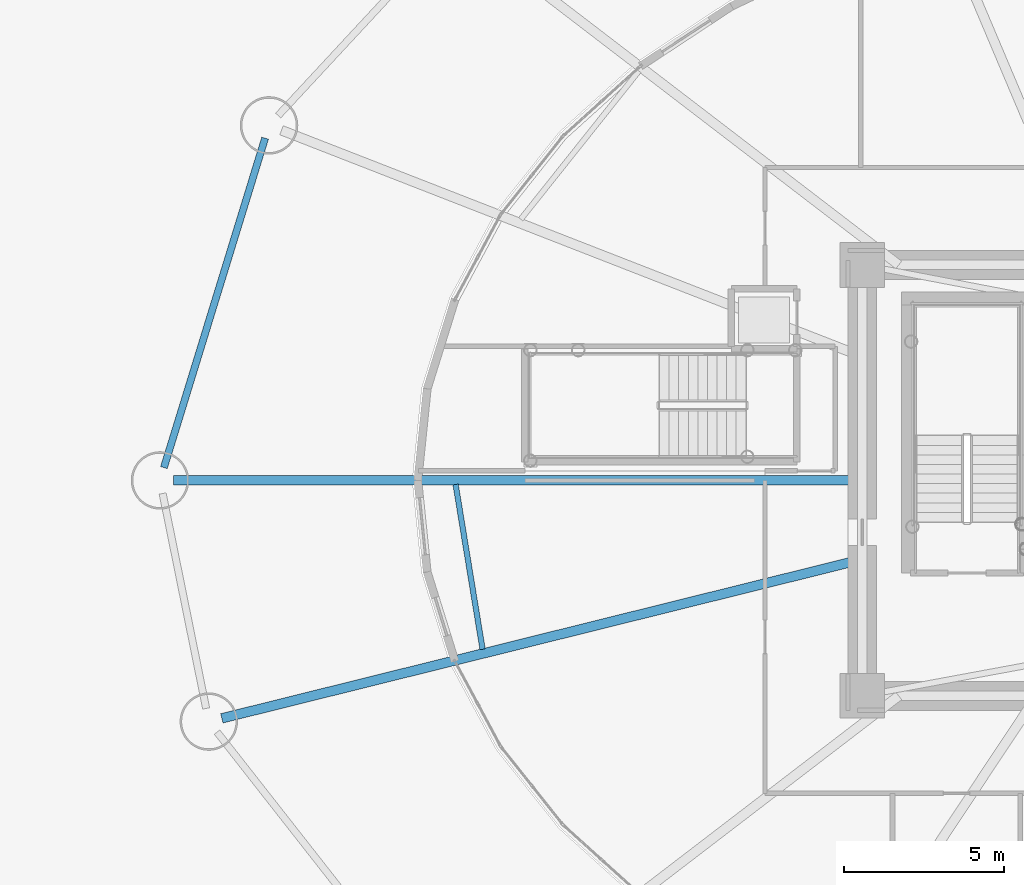
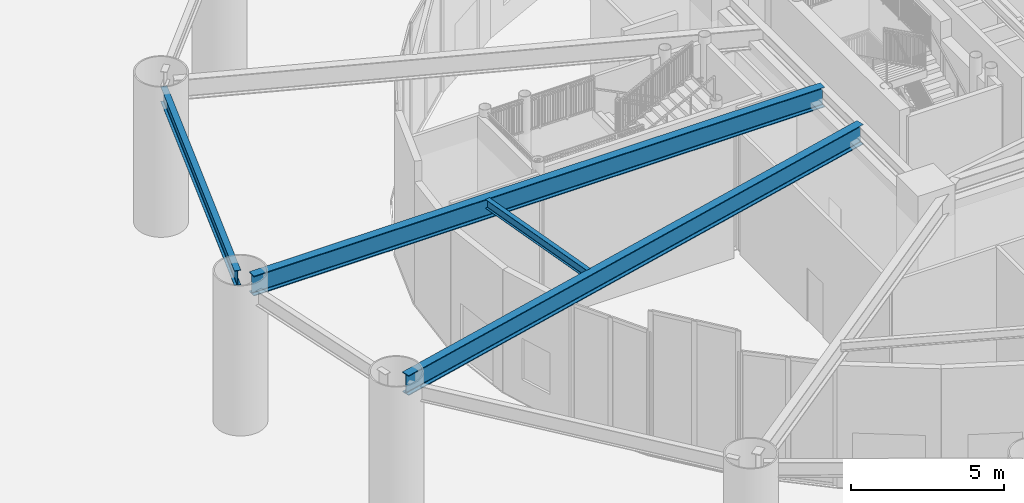
# One storey, part 9 of 46: 4 beams.
"""IFC4 building model written with IfcOpenShell, lengths in metres."""

from ifc_helpers import new_model, si_unit, direction, frame, origin, origin_2d, place, context, subcontext, project, spatial, i_section, extrude, material, material_profile, profile_set, type_object, element, save


model = new_model("IFC4")

# Units and contexts
model_context = context("Model", 3, precision=1e-05, world=origin(), true_north=direction((0.0, 1.0)))
body_context = subcontext(model_context, "Body", "Model", "MODEL_VIEW")
ifc_project = project(units=[si_unit("LENGTHUNIT", "METRE"), si_unit("AREAUNIT", "SQUARE_METRE"), si_unit("VOLUMEUNIT", "CUBIC_METRE"), si_unit("PLANEANGLEUNIT", "RADIAN"), si_unit("MASSUNIT", "GRAM", prefix="KILO")], contexts=[model_context])

# Site, building, storey
site_placement = place(None, origin())
site = spatial("IfcSite", under=ifc_project, at=site_placement, CompositionType="ELEMENT")
building_placement = place(site_placement, origin())
building = spatial("IfcBuilding", under=site, at=building_placement, Name="Linh Dai School and Residence Tower", CompositionType="ELEMENT")
storey_placement = place(building_placement, origin())
storey = spatial("IfcBuildingStorey", under=building, at=storey_placement, Name="L00", CompositionType="ELEMENT", Elevation=0.0)

# Beams
ifc_material = material(Name="Structural Steel S355JR", Category="steel")
ifc_material_profile_1 = material_profile(ifc_material, i_section(OverallWidth=0.219970703125, OverallDepth=0.60009765625, WebThickness=0.011962890625, FlangeThickness=0.01904296875, FilletRadius=0.02392578125, at=origin_2d()), Name="IPE 600")
ifc_profile_set_1 = profile_set([ifc_material_profile_1], Name="Structural Steel S355JR")
beam_type_1 = type_object("IfcBeamType", Name="BM-RB60", PredefinedType="BEAM", material=ifc_profile_set_1)
beam_1_placement = place(storey_placement, frame((7.343017578125, 37.720458984375, 5.39990234375), z_axis=(-0.293626522026, -0.955920219246, 0.0), x_axis=(0.955920219246, -0.293626522026, 0.0)))
element("IfcBeam", 1, at=beam_1_placement, inside=storey, type_object=beam_type_1, Name="L00 Perimeter Elliptical Ring Beam 08", PredefinedType="BEAM", context=body_context, shape_type="SweptSolid", body=[
    extrude(i_section(OverallWidth=0.219970703125, OverallDepth=0.60009765625, WebThickness=0.011962890625, FlangeThickness=0.01904296875, FilletRadius=0.02392578125, at=origin_2d()), origin(), (0.0, 0.0, 1.0), 10.794921875),
])
ifc_material_profile_2 = material_profile(ifc_material, i_section(OverallWidth=0.300048828125, OverallDepth=0.800048828125, WebThickness=0.017578125, FlangeThickness=0.032958984375, FilletRadius=0.030029296875, at=origin_2d()), Name="HEB 800")
ifc_profile_set_2 = profile_set([ifc_material_profile_2], Name="Structural Steel S355JR")
beam_type_2 = type_object("IfcBeamType", Name="BM-RG8", PredefinedType="BEAM", material=ifc_profile_set_2)
beam_2_placement = place(storey_placement, frame((26.050048828125, 27.0, 5.300048828125), z_axis=(-1.0, 0.0, 0.0), x_axis=(0.0, -1.0, 0.0)))
element("IfcBeam", 2, at=beam_2_placement, inside=storey, type_object=beam_type_2, Name="L00 Primary Radial Floor Girder 09", PredefinedType="BEAM", context=body_context, shape_type="SweptSolid", body=[
    extrude(i_section(OverallWidth=0.300048828125, OverallDepth=0.800048828125, WebThickness=0.017578125, FlangeThickness=0.032958984375, FilletRadius=0.030029296875, at=origin_2d()), origin(), (0.0, 0.0, 1.0), 21.580078125),
])
beam_3_placement = place(storey_placement, frame((26.050048828125, 24.52880859375, 5.300048828125), z_axis=(-0.970515097282, -0.241040340913, 0.0), x_axis=(0.241040340913, -0.970515097282, 0.0)))
element("IfcBeam", 3, at=beam_3_placement, inside=storey, type_object=beam_type_2, Name="L00 Primary Radial Floor Girder 10", PredefinedType="BEAM", context=body_context, shape_type="SweptSolid", body=[
    extrude(i_section(OverallWidth=0.300048828125, OverallDepth=0.800048828125, WebThickness=0.017578125, FlangeThickness=0.032958984375, FilletRadius=0.030029296875, at=origin_2d()), origin(), (0.0, 0.0, 1.0), 20.672607421875),
])
ifc_material_profile_3 = material_profile(ifc_material, i_section(OverallWidth=0.169921875, OverallDepth=0.360107421875, WebThickness=0.008056640625, FlangeThickness=0.0126953125, FilletRadius=0.01806640625, at=origin_2d()), Name="IPE 360")
ifc_profile_set_3 = profile_set([ifc_material_profile_3], Name="Structural Steel S355JR")
beam_type_3 = type_object("IfcBeamType", Name="BM-SB36", PredefinedType="BEAM", material=ifc_profile_set_3)
beam_4_placement = place(storey_placement, frame((13.31103515625, 26.871826171875, 5.52001953125), z_axis=(0.161492699369, -0.986873906865, 0.0), x_axis=(0.986873906865, 0.161492699369, 0.0)))
element("IfcBeam", 4, at=beam_4_placement, inside=storey, type_object=beam_type_3, Name="L00 Secondary Circumferential Floor Beam 05", PredefinedType="BEAM", context=body_context, shape_type="SweptSolid", body=[
    extrude(i_section(OverallWidth=0.169921875, OverallDepth=0.360107421875, WebThickness=0.008056640625, FlangeThickness=0.0126953125, FilletRadius=0.01806640625, at=origin_2d()), origin(), (0.0, 0.0, 1.0), 5.232177734375),
])

save(model, "model.ifc")
